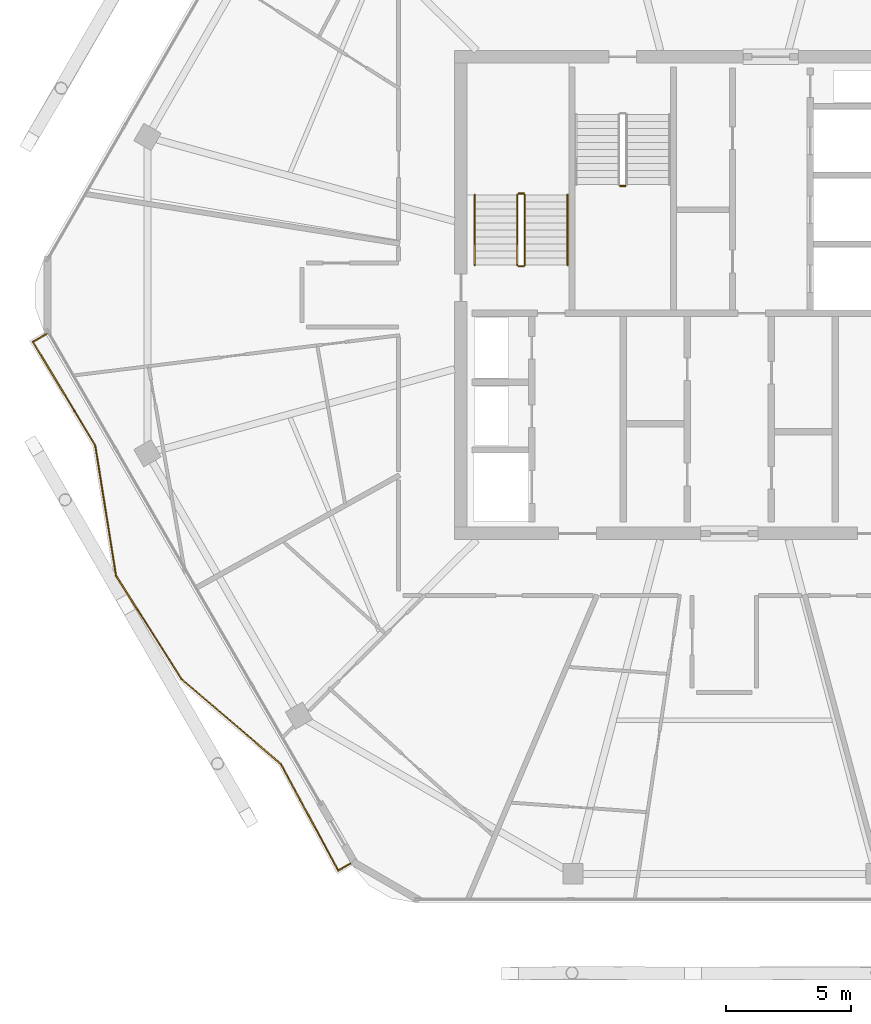
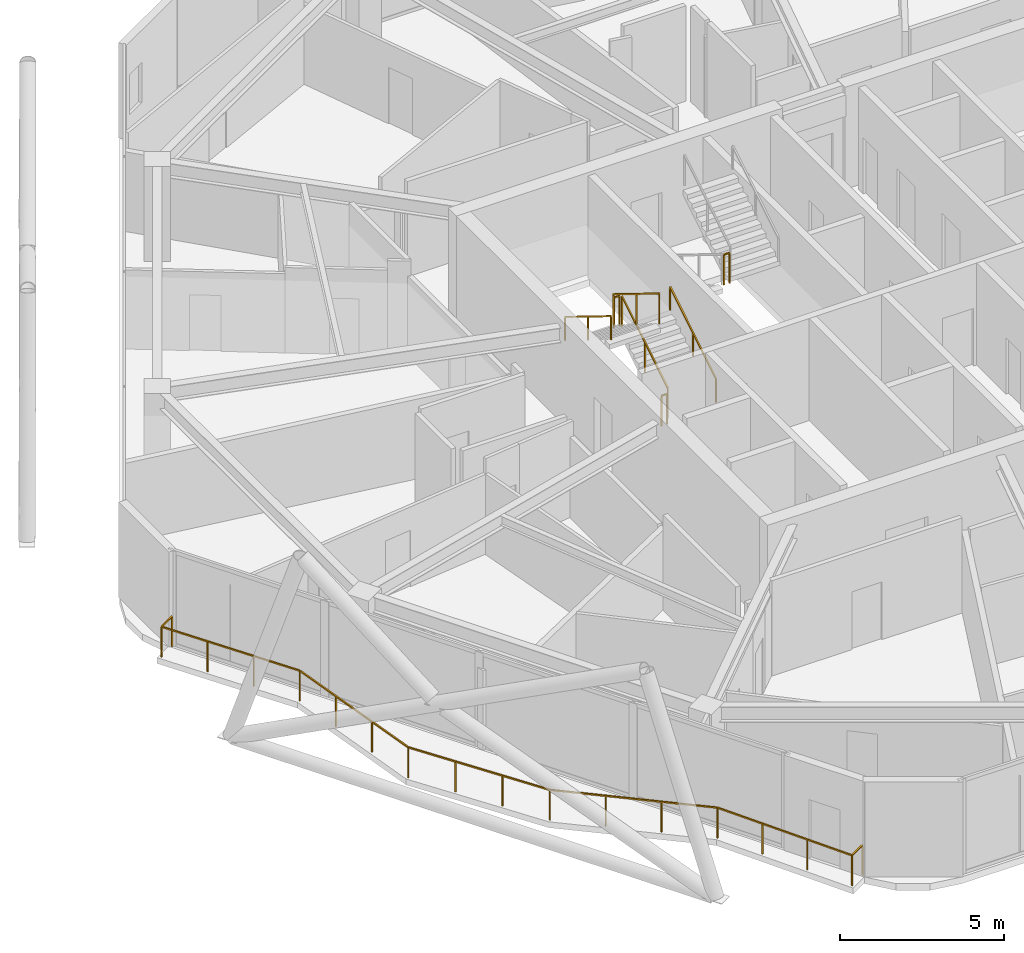
# One storey, part 21 of 23: 8 railings.
"""IFC4 building model written with IfcOpenShell, lengths in metres."""

from ifc_helpers import new_model, si_unit, direction, frame, origin, origin_2d, place, context, subcontext, project, spatial, rectangle, extrude, material, type_object, element, save


model = new_model("IFC4")

# Units and contexts
model_context = context("Model", 3, precision=1e-05, world=origin(), true_north=direction((0.0, 1.0)))
body_context = subcontext(model_context, "Body", "Model", "MODEL_VIEW")
ifc_project = project(units=[si_unit("LENGTHUNIT", "METRE"), si_unit("AREAUNIT", "SQUARE_METRE"), si_unit("VOLUMEUNIT", "CUBIC_METRE"), si_unit("PLANEANGLEUNIT", "RADIAN"), si_unit("MASSUNIT", "GRAM", prefix="KILO")], contexts=[model_context])

# Site, building, storey
site_placement = place(None, origin())
site = spatial("IfcSite", under=ifc_project, at=site_placement, CompositionType="ELEMENT")
building_placement = place(site_placement, origin())
building = spatial("IfcBuilding", under=site, at=building_placement, Name="Zuhravey Tower", CompositionType="ELEMENT")
storey_placement = place(building_placement, frame((0.0, 0.0, 331.0)))
storey = spatial("IfcBuildingStorey", under=building, at=storey_placement, Name="L84", CompositionType="ELEMENT", Elevation=331.0)

# Railings
ifc_material_1 = material(Name="Stainless steel 316 and laminated glass", Category="steel")
railing_type_1 = type_object("IfcRailingType", Name="Balcony & Terrace Guardrail 1150", PredefinedType="BALUSTRADE", material=ifc_material_1)
railing_1_placement = place(storey_placement, frame((21.16162109375, 9.382568359375, 0.0)))
element("IfcRailing", 1, at=railing_1_placement, inside=storey, type_object=railing_type_1, Name="L84 Face 4 Wave Balcony Guardrail GR1", PredefinedType="BALUSTRADE", context=body_context, shape_type="SweptSolid", body=[
    extrude(rectangle(XDim=0.048095703125, YDim=0.048095703125, at=origin_2d()), frame((-0.001708984375, -0.0009765625, 1.1259765625), z_axis=(-0.865898279276, -0.500220121494, 0.0), x_axis=(0.500220121494, -0.865898279276, 0.0)), (0.0, 0.0, 1.0), 0.6328125),
    extrude(rectangle(XDim=0.048095703125, YDim=0.048095703125, at=origin_2d()), frame((-0.552490234375, -0.31689453125, 1.1259765625), z_axis=(-0.473728667541, 0.880670851993, 0.0), x_axis=(-0.880670851993, -0.473728667541, 0.0)), (0.0, 0.0, 1.0), 4.8212890625),
    extrude(rectangle(XDim=0.048095703125, YDim=0.048095703125, at=origin_2d()), frame((-2.8388671875, 3.93212890625, 1.1259765625), z_axis=(-0.760119477369, 0.649783333216, 0.0), x_axis=(-0.649783333216, -0.760119477369, 0.0)), (0.0, 0.0, 1.0), 5.20458984375),
    extrude(rectangle(XDim=0.048095703125, YDim=0.048095703125, at=origin_2d()), frame((-6.797607421875, 7.317138671875, 1.1259765625), z_axis=(-0.535523734062, 0.844520177531, 0.0), x_axis=(-0.844520177531, -0.535523734062, 0.0)), (0.0, 0.0, 1.0), 4.871826171875),
    extrude(rectangle(XDim=0.048095703125, YDim=0.048095703125, at=origin_2d()), frame((-9.407958984375, 11.43505859375, 1.1259765625), z_axis=(-0.15751373939, 0.987516795758, 0.0), x_axis=(-0.987516795758, -0.15751373939, 0.0)), (0.0, 0.0, 1.0), 5.248779296875),
    extrude(rectangle(XDim=0.048095703125, YDim=0.048095703125, at=origin_2d()), frame((-10.236083984375, 16.6220703125, 1.1259765625), z_axis=(-0.515061065918, 0.857153485891, 0.0), x_axis=(-0.857153485891, -0.515061065918, 0.0)), (0.0, 0.0, 1.0), 4.82177734375),
    extrude(rectangle(XDim=0.048095703125, YDim=0.048095703125, at=origin_2d()), frame((-12.718994140625, 20.7578125, 1.1259765625), z_axis=(0.865949780596, 0.500130960335, 0.0), x_axis=(-0.500130960335, 0.865949780596, 0.0)), (0.0, 0.0, 1.0), 0.634033203125),
    extrude(rectangle(XDim=0.0419921875, YDim=0.0419921875, at=origin_2d()), origin(), (0.0, 0.0, 1.0), 1.099853515625),
    extrude(rectangle(XDim=0.0419921875, YDim=0.0419921875, at=origin_2d()), frame((-0.551513671875, -0.318603515625, 0.0)), (0.0, 0.0, 1.0), 1.099853515625),
    extrude(rectangle(XDim=0.0419921875, YDim=0.0419921875, at=origin_2d()), frame((-1.3134765625, 1.097900390625, 0.0)), (0.0, 0.0, 1.0), 1.099853515625),
    extrude(rectangle(XDim=0.0419921875, YDim=0.0419921875, at=origin_2d()), frame((-2.075439453125, 2.514404296875, 0.0)), (0.0, 0.0, 1.0), 1.099853515625),
    extrude(rectangle(XDim=0.0419921875, YDim=0.0419921875, at=origin_2d()), frame((-2.83740234375, 3.930908203125, 0.0)), (0.0, 0.0, 1.0), 1.099853515625),
    extrude(rectangle(XDim=0.0419921875, YDim=0.0419921875, at=origin_2d()), frame((-4.1572265625, 5.05908203125, 0.0)), (0.0, 0.0, 1.0), 1.099853515625),
    extrude(rectangle(XDim=0.0419921875, YDim=0.0419921875, at=origin_2d()), frame((-5.476806640625, 6.187255859375, 0.0)), (0.0, 0.0, 1.0), 1.099853515625),
    extrude(rectangle(XDim=0.0419921875, YDim=0.0419921875, at=origin_2d()), frame((-6.796630859375, 7.3154296875, 0.0)), (0.0, 0.0, 1.0), 1.099853515625),
    extrude(rectangle(XDim=0.0419921875, YDim=0.0419921875, at=origin_2d()), frame((-7.6669921875, 8.68798828125, 0.0)), (0.0, 0.0, 1.0), 1.099853515625),
    extrude(rectangle(XDim=0.0419921875, YDim=0.0419921875, at=origin_2d()), frame((-8.537353515625, 10.060546875, 0.0)), (0.0, 0.0, 1.0), 1.099853515625),
    extrude(rectangle(XDim=0.0419921875, YDim=0.0419921875, at=origin_2d()), frame((-9.40771484375, 11.43310546875, 0.0)), (0.0, 0.0, 1.0), 1.099853515625),
    extrude(rectangle(XDim=0.0419921875, YDim=0.0419921875, at=origin_2d()), frame((-9.68359375, 13.162109375, 0.0)), (0.0, 0.0, 1.0), 1.099853515625),
    extrude(rectangle(XDim=0.0419921875, YDim=0.0419921875, at=origin_2d()), frame((-9.959228515625, 14.891357421875, 0.0)), (0.0, 0.0, 1.0), 1.099853515625),
    extrude(rectangle(XDim=0.0419921875, YDim=0.0419921875, at=origin_2d()), frame((-10.235107421875, 16.620361328125, 0.0)), (0.0, 0.0, 1.0), 1.099853515625),
    extrude(rectangle(XDim=0.0419921875, YDim=0.0419921875, at=origin_2d()), frame((-11.063720703125, 17.999267578125, 0.0)), (0.0, 0.0, 1.0), 1.099853515625),
    extrude(rectangle(XDim=0.0419921875, YDim=0.0419921875, at=origin_2d()), frame((-11.89208984375, 19.3779296875, 0.0)), (0.0, 0.0, 1.0), 1.099853515625),
    extrude(rectangle(XDim=0.0419921875, YDim=0.0419921875, at=origin_2d()), frame((-12.720703125, 20.7568359375, 0.0)), (0.0, 0.0, 1.0), 1.099853515625),
    extrude(rectangle(XDim=0.0419921875, YDim=0.0419921875, at=origin_2d()), frame((-12.168212890625, 21.075927734375, 0.0)), (0.0, 0.0, 1.0), 1.099853515625),
])
ifc_material_2 = material(Name="Brushed stainless steel", Category="steel")
railing_type_2 = type_object("IfcRailingType", Name="Stair Wall Handrail 900", PredefinedType="HANDRAIL", material=ifc_material_2)
railing_2_placement = place(storey_placement, frame((29.75, 33.199951171875, 0.172607421875)))
element("IfcRailing", 2, at=railing_2_placement, inside=storey, type_object=railing_type_2, Name="L84 ST1 stair handrail 1", PredefinedType="HANDRAIL", context=body_context, shape_type="SweptSolid", body=[
    extrude(rectangle(XDim=0.048095703125, YDim=0.048095703125, at=origin_2d()), frame((0.0, 0.001708984375, 0.876953125), z_axis=(0.0, 0.851089632645, 0.525020415988), x_axis=(-1.0, 0.0, 0.0)), (0.0, 0.0, 1.0), 3.285888671875),
    extrude(rectangle(XDim=0.0419921875, YDim=0.0419921875, at=origin_2d()), origin(), (0.0, 0.0, 1.0), 0.849853515625),
    extrude(rectangle(XDim=0.0419921875, YDim=0.0419921875, at=origin_2d()), frame((0.0, 1.39990234375, 0.86376953125)), (0.0, 0.0, 1.0), 0.849853515625),
    extrude(rectangle(XDim=0.0419921875, YDim=0.0419921875, at=origin_2d()), frame((0.0, 2.800048828125, 1.727294921875)), (0.0, 0.0, 1.0), 0.849853515625),
])
railing_3_placement = place(storey_placement, frame((26.050048828125, 36.0, 2.07275390625)))
element("IfcRailing", 3, at=railing_3_placement, inside=storey, type_object=railing_type_2, Name="L84 ST1 stair handrail 2", PredefinedType="HANDRAIL", context=body_context, shape_type="SweptSolid", body=[
    extrude(rectangle(XDim=0.048095703125, YDim=0.048095703125, at=origin_2d()), frame((0.0, -0.001708984375, 0.876953125), z_axis=(0.0, -0.851089632645, 0.525020415988), x_axis=(1.0, 0.0, 0.0)), (0.0, 0.0, 1.0), 3.285888671875),
    extrude(rectangle(XDim=0.0419921875, YDim=0.0419921875, at=origin_2d()), origin(), (0.0, 0.0, 1.0), 0.849853515625),
    extrude(rectangle(XDim=0.0419921875, YDim=0.0419921875, at=origin_2d()), frame((0.0, -1.39990234375, 0.86376953125)), (0.0, 0.0, 1.0), 0.849853515625),
    extrude(rectangle(XDim=0.0419921875, YDim=0.0419921875, at=origin_2d()), frame((0.0, -2.800048828125, 1.727294921875)), (0.0, 0.0, 1.0), 0.849853515625),
])
ifc_material_3 = material(Name="Painted tubular steel", Category="steel")
railing_type_3 = type_object("IfcRailingType", Name="Stair Well Guardrail 1150", PredefinedType="GUARDRAIL", material=ifc_material_3)
railing_4_placement = place(storey_placement, frame((28.050048828125, 33.199951171875, 0.172607421875)))
element("IfcRailing", 4, at=railing_4_placement, inside=storey, type_object=railing_type_3, Name="L84 ST1 stair guard 1", PredefinedType="GUARDRAIL", context=body_context, shape_type="SweptSolid", body=[
    extrude(rectangle(XDim=0.048095703125, YDim=0.048095703125, at=origin_2d()), frame((0.0, 0.001708984375, 1.126953125), z_axis=(0.0, 0.851089632645, 0.525020415988), x_axis=(-1.0, 0.0, 0.0)), (0.0, 0.0, 1.0), 3.285888671875),
    extrude(rectangle(XDim=0.0419921875, YDim=0.0419921875, at=origin_2d()), origin(), (0.0, 0.0, 1.0), 1.099853515625),
    extrude(rectangle(XDim=0.0419921875, YDim=0.0419921875, at=origin_2d()), frame((0.0, 1.39990234375, 0.86376953125)), (0.0, 0.0, 1.0), 1.099853515625),
    extrude(rectangle(XDim=0.0419921875, YDim=0.0419921875, at=origin_2d()), frame((0.0, 2.800048828125, 1.727294921875)), (0.0, 0.0, 1.0), 1.099853515625),
])
railing_5_placement = place(storey_placement, frame((28.0, 36.050048828125, 1.89990234375)))
element("IfcRailing", 5, at=railing_5_placement, inside=storey, type_object=railing_type_3, Name="L84 ST1 stair guard 2", PredefinedType="GUARDRAIL", context=body_context, shape_type="SweptSolid", body=[
    extrude(rectangle(XDim=0.048095703125, YDim=0.048095703125, at=origin_2d()), frame((-0.001953125, 0.0, 1.1259765625), z_axis=(-1.0, 0.0, 0.0), x_axis=(0.0, -1.0, 0.0)), (0.0, 0.0, 1.0), 0.196044921875),
    extrude(rectangle(XDim=0.0419921875, YDim=0.0419921875, at=origin_2d()), origin(), (0.0, 0.0, 1.0), 1.099853515625),
    extrude(rectangle(XDim=0.0419921875, YDim=0.0419921875, at=origin_2d()), frame((-0.199951171875, 0.0, 0.0)), (0.0, 0.0, 1.0), 1.099853515625),
])
railing_6_placement = place(storey_placement, frame((27.75, 36.0, 2.07275390625)))
element("IfcRailing", 6, at=railing_6_placement, inside=storey, type_object=railing_type_3, Name="L84 ST1 stair guard 3", PredefinedType="GUARDRAIL", context=body_context, shape_type="SweptSolid", body=[
    extrude(rectangle(XDim=0.048095703125, YDim=0.048095703125, at=origin_2d()), frame((0.0, -0.001708984375, 1.126953125), z_axis=(0.0, -0.851089632645, 0.525020415988), x_axis=(1.0, 0.0, 0.0)), (0.0, 0.0, 1.0), 3.285888671875),
    extrude(rectangle(XDim=0.0419921875, YDim=0.0419921875, at=origin_2d()), origin(), (0.0, 0.0, 1.0), 1.099853515625),
    extrude(rectangle(XDim=0.0419921875, YDim=0.0419921875, at=origin_2d()), frame((0.0, -1.39990234375, 0.86376953125)), (0.0, 0.0, 1.0), 1.099853515625),
    extrude(rectangle(XDim=0.0419921875, YDim=0.0419921875, at=origin_2d()), frame((0.0, -2.800048828125, 1.727294921875)), (0.0, 0.0, 1.0), 1.099853515625),
])
railing_7_placement = place(storey_placement, frame((28.0, 33.14990234375, 0.0)))
element("IfcRailing", 7, at=railing_7_placement, inside=storey, type_object=railing_type_3, Name="L84 ST1 stair guard 4", PredefinedType="GUARDRAIL", context=body_context, shape_type="SweptSolid", body=[
    extrude(rectangle(XDim=0.048095703125, YDim=0.048095703125, at=origin_2d()), frame((-0.001953125, 0.0, 1.1259765625), z_axis=(-1.0, 0.0, 0.0), x_axis=(0.0, -1.0, 0.0)), (0.0, 0.0, 1.0), 0.196044921875),
    extrude(rectangle(XDim=0.0419921875, YDim=0.0419921875, at=origin_2d()), origin(), (0.0, 0.0, 1.0), 1.099853515625),
    extrude(rectangle(XDim=0.0419921875, YDim=0.0419921875, at=origin_2d()), frame((-0.199951171875, 0.0, 0.0)), (0.0, 0.0, 1.0), 1.099853515625),
])
railing_8_placement = place(storey_placement, frame((31.85009765625, 36.35009765625, 1.89990234375)))
element("IfcRailing", 8, at=railing_8_placement, inside=storey, type_object=railing_type_3, Name="L84 ST3 stair guard 2", PredefinedType="GUARDRAIL", context=body_context, shape_type="SweptSolid", body=[
    extrude(rectangle(XDim=0.048095703125, YDim=0.048095703125, at=origin_2d()), frame((0.001953125, 0.0, 1.1259765625), z_axis=(1.0, 0.0, 0.0), x_axis=(0.0, 1.0, 0.0)), (0.0, 0.0, 1.0), 0.196044921875),
    extrude(rectangle(XDim=0.0419921875, YDim=0.0419921875, at=origin_2d()), origin(), (0.0, 0.0, 1.0), 1.099853515625),
    extrude(rectangle(XDim=0.0419921875, YDim=0.0419921875, at=origin_2d()), frame((0.199951171875, 0.0, 0.0)), (0.0, 0.0, 1.0), 1.099853515625),
])

save(model, "model.ifc")
